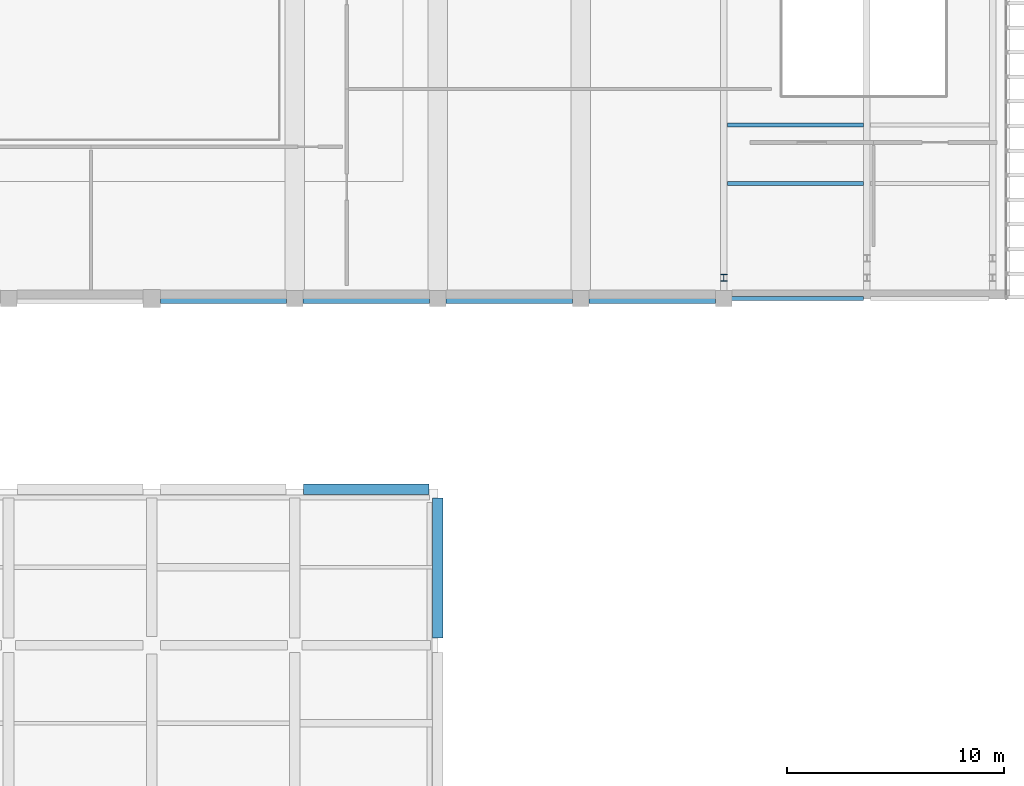
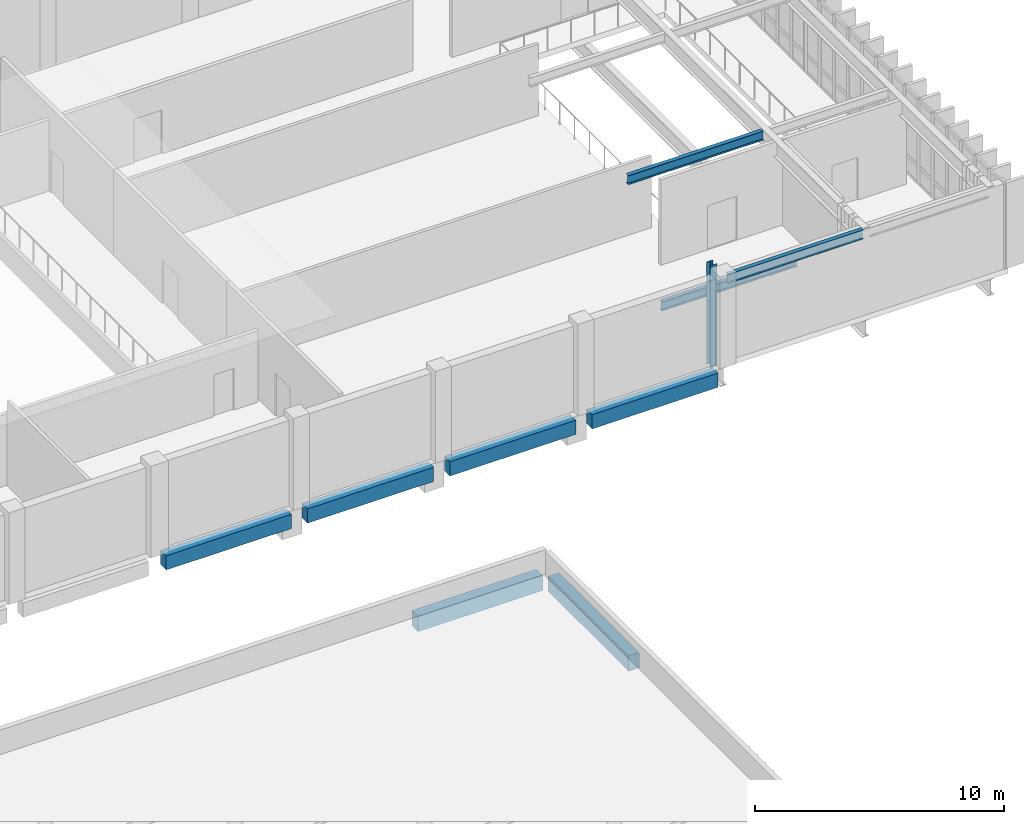
# One storey, part 3 of 23: 9 beams, 1 member.
"""IFC4 building model written with IfcOpenShell, lengths in metres."""

from ifc_helpers import new_model, si_unit, direction, frame, origin, origin_2d, place, context, subcontext, project, spatial, rectangle, i_section, extrude, material, material_profile, profile_set, type_object, element, save


model = new_model("IFC4")

# Units and contexts
model_context = context("Model", 3, precision=1e-05, world=origin(), true_north=direction((0.0, 1.0)))
body_context = subcontext(model_context, "Body", "Model", "MODEL_VIEW")
ifc_project = project(units=[si_unit("LENGTHUNIT", "METRE"), si_unit("AREAUNIT", "SQUARE_METRE"), si_unit("VOLUMEUNIT", "CUBIC_METRE"), si_unit("PLANEANGLEUNIT", "RADIAN"), si_unit("MASSUNIT", "GRAM", prefix="KILO")], contexts=[model_context])

# Site, building, storey
site_placement = place(None, origin())
site = spatial("IfcSite", under=ifc_project, at=site_placement, CompositionType="ELEMENT")
building_placement = place(site_placement, origin())
building = spatial("IfcBuilding", under=site, at=building_placement, Name="Kelarvand Opera House", CompositionType="ELEMENT")
storey_placement = place(building_placement, frame((0.0, 0.0, 19.5)))
storey = spatial("IfcBuildingStorey", under=building, at=storey_placement, Name="L04", CompositionType="ELEMENT", Elevation=19.5)

# Beams
ifc_material_1 = material(Name="Concrete C40/50", Category="concrete")
ifc_material_profile_1 = material_profile(ifc_material_1, rectangle(XDim=0.449951171875, YDim=0.699951171875, at=origin_2d()), Name="RC 450x700", Category="concrete")
ifc_profile_set_1 = profile_set([ifc_material_profile_1], Name="Concrete C40/50")
beam_type_1 = type_object("IfcBeamType", Name="Structural Beam RC 450x700 BM-RC450x700", PredefinedType="BEAM", material=ifc_profile_set_1)
beam_1_placement = place(storey_placement, frame((115.81005859375, 46.60009765625, -0.6298828125), z_axis=(1.0, 0.0, 0.0), x_axis=(0.0, 1.0, 0.0)))
element("IfcBeam", 1, at=beam_1_placement, inside=storey, type_object=beam_type_1, Name="V1 L04 Beam BM-RC450x700", PredefinedType="BEAM", context=body_context, shape_type="SweptSolid", body=[
    extrude(rectangle(XDim=0.449951171875, YDim=0.699951171875, at=origin_2d()), origin(), (0.0, 0.0, 1.0), 5.81494140625),
])
beam_2_placement = place(storey_placement, frame((122.375, 46.60009765625, -0.6298828125), z_axis=(1.0, 0.0, 0.0), x_axis=(0.0, 1.0, 0.0)))
element("IfcBeam", 2, at=beam_2_placement, inside=storey, type_object=beam_type_1, Name="V1 L04 Beam BM-RC450x700", PredefinedType="BEAM", context=body_context, shape_type="SweptSolid", body=[
    extrude(rectangle(XDim=0.449951171875, YDim=0.699951171875, at=origin_2d()), origin(), (0.0, 0.0, 1.0), 5.85009765625),
])
beam_3_placement = place(storey_placement, frame((128.97509765625, 46.60009765625, -0.6298828125), z_axis=(1.0, 0.0, 0.0), x_axis=(0.0, 1.0, 0.0)))
element("IfcBeam", 3, at=beam_3_placement, inside=storey, type_object=beam_type_1, Name="V1 L04 Beam BM-RC450x700", PredefinedType="BEAM", context=body_context, shape_type="SweptSolid", body=[
    extrude(rectangle(XDim=0.449951171875, YDim=0.699951171875, at=origin_2d()), origin(), (0.0, 0.0, 1.0), 5.849853515625),
])
beam_4_placement = place(storey_placement, frame((135.574951171875, 46.60009765625, -0.6298828125), z_axis=(1.0, 0.0, 0.0), x_axis=(0.0, 1.0, 0.0)))
element("IfcBeam", 4, at=beam_4_placement, inside=storey, type_object=beam_type_1, Name="V1 L04 Beam BM-RC450x700", PredefinedType="BEAM", context=body_context, shape_type="SweptSolid", body=[
    extrude(rectangle(XDim=0.449951171875, YDim=0.699951171875, at=origin_2d()), origin(), (0.0, 0.0, 1.0), 5.85009765625),
])
ifc_material_profile_2 = material_profile(ifc_material_1, rectangle(XDim=0.5, YDim=0.75, at=origin_2d()), Name="RC 500x750", Category="concrete")
ifc_profile_set_2 = profile_set([ifc_material_profile_2], Name="Concrete C40/50")
beam_type_2 = type_object("IfcBeamType", Name="Structural Beam RC 500x750 BM-RC500x750", PredefinedType="BEAM", material=ifc_profile_set_2)
beam_5_placement = place(storey_placement, frame((128.60009765625, 30.925048828125, -0.594970703125), z_axis=(0.0, 1.0, 0.0), x_axis=(-1.0, 0.0, 0.0)))
element("IfcBeam", 5, at=beam_5_placement, inside=storey, type_object=beam_type_2, Name="V6 L04 Beam BM-RC500x750", PredefinedType="BEAM", context=body_context, shape_type="SweptSolid", body=[
    extrude(rectangle(XDim=0.5, YDim=0.75, at=origin_2d()), origin(), (0.0, 0.0, 1.0), 6.46484375),
])
ifc_material_2 = material(Name="Steel S355", Category="steel")
ifc_material_profile_3 = material_profile(ifc_material_2, i_section(OverallWidth=0.18994140625, OverallDepth=0.449951171875, WebThickness=0.009521484375, FlangeThickness=0.0146484375, at=origin_2d()), Name="IPE 450", Category="steel")
ifc_profile_set_3 = profile_set([ifc_material_profile_3], Name="Steel S355")
beam_type_3 = type_object("IfcBeamType", Name="Structural Joist IPE 450 JS-IPE450", PredefinedType="JOIST", material=ifc_profile_set_3)
for number, where, z_axis, x_axis, name in (
    (6, (141.9599609375, 51.89990234375, -0.5048828125), (1.0, 0.0, 0.0), (0.0, 1.0, 0.0), "V1 L04 Beam JS-IPE450"),
    (7, (141.9599609375, 46.60009765625, 4.054931640625), (1.0, 0.0, 0.0), (0.0, 1.0, 0.0), "V1 L04 Beam JS-IPE450"),
    (8, (141.9599609375, 54.60009765625, 4.054931640625), (1.0, 0.0, 0.0), (0.0, 1.0, 0.0), "V1 L04 Beam JS-IPE450"),
):
    element("IfcBeam", number, at=place(storey_placement, frame(where, z_axis=z_axis, x_axis=x_axis)), inside=storey, type_object=beam_type_3, Name=name, PredefinedType="JOIST", context=body_context, shape_type="SweptSolid", body=[
        extrude(i_section(OverallWidth=0.18994140625, OverallDepth=0.449951171875, WebThickness=0.009521484375, FlangeThickness=0.0146484375, at=origin_2d()), origin(), (0.0, 0.0, 1.0), 6.280029296875),
    ])

# Member
ifc_material_profile_4 = material_profile(ifc_material_2, i_section(OverallWidth=0.300048828125, OverallDepth=0.320068359375, WebThickness=0.011474609375, FlangeThickness=0.0205078125, at=origin_2d()), Name="HEB 320", Category="steel")
ifc_profile_set_4 = profile_set([ifc_material_profile_4], Name="Steel S355")
member_type = type_object("IfcMemberType", Name="Structural Post HEB 320 PS-HEB320", PredefinedType="POST", material=ifc_profile_set_4)
member_placement = place(storey_placement, frame((141.800048828125, 47.550048828125, -0.72998046875), z_axis=(0.0, 0.0, 1.0), x_axis=(1.0, 0.0, 0.0)))
element("IfcMember", 9, at=member_placement, inside=storey, type_object=member_type, Name="Cantilever Box Roof Support Post X=141.8 Y=47.55", PredefinedType="POST", context=body_context, shape_type="SweptSolid", body=[
    extrude(i_section(OverallWidth=0.300048828125, OverallDepth=0.320068359375, WebThickness=0.011474609375, FlangeThickness=0.0205078125, at=origin_2d()), origin(), (0.0, 0.0, 1.0), 5.010009765625),
])

# Beam
ifc_material_profile_5 = material_profile(ifc_material_1, rectangle(XDim=0.5, YDim=0.75, at=origin_2d()), Name="RC 500x750", Category="concrete")
ifc_profile_set_5 = profile_set([ifc_material_profile_5], Name="Concrete C40/50")
beam_type_4 = type_object("IfcBeamType", Name="Structural Spandrel RC 500x750 SP-RC500x750E", PredefinedType="SPANDREL", material=ifc_profile_set_5)
beam_6_placement = place(storey_placement, frame((122.409912109375, 37.800048828125, -0.594970703125), z_axis=(1.0, 0.0, 0.0), x_axis=(0.0, 1.0, 0.0)))
element("IfcBeam", 10, at=beam_6_placement, inside=storey, type_object=beam_type_4, Name="V6 L04 Beam SP-RC500x750E", PredefinedType="SPANDREL", context=body_context, shape_type="SweptSolid", body=[
    extrude(rectangle(XDim=0.5, YDim=0.75, at=origin_2d()), origin(), (0.0, 0.0, 1.0), 5.780029296875),
])

save(model, "model.ifc")
